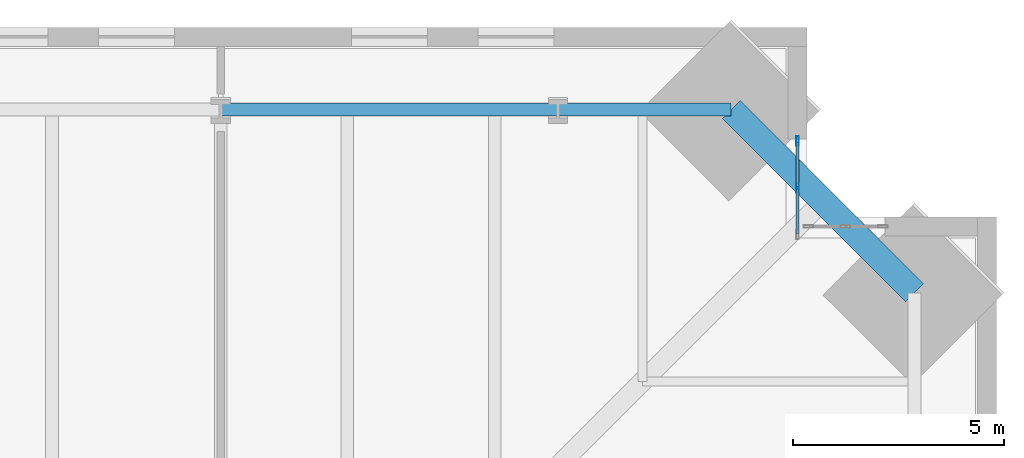
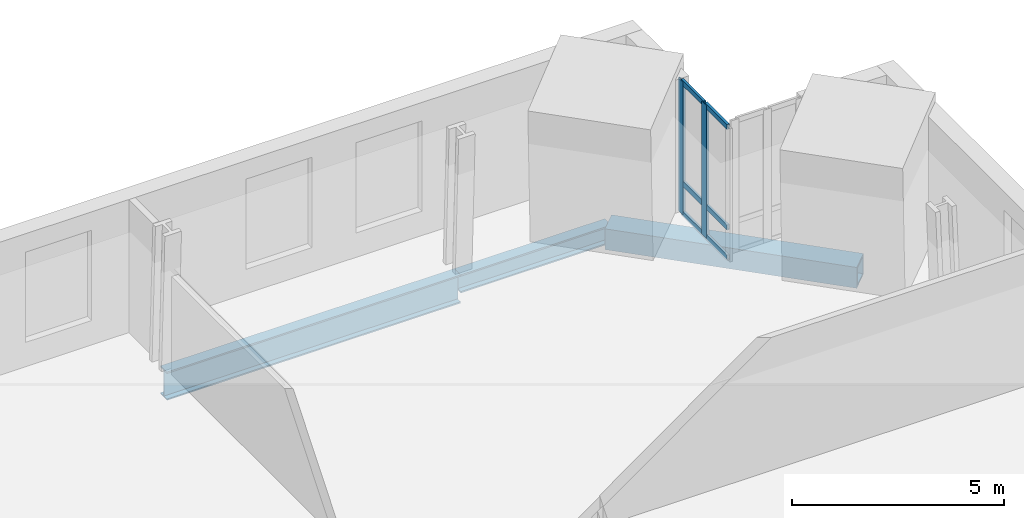
# One storey, part 11 of 18: 8 members, 3 beams, 1 element without a shape of its own.
"""IFC4 building model written with IfcOpenShell, lengths in metres."""

from ifc_helpers import new_model, si_unit, direction, frame, origin, origin_2d, place, context, subcontext, project, spatial, hollow_rectangle, i_section, extrude, material, material_profile, profile_set, type_object, element, aggregate, save


model = new_model("IFC4")

# Units and contexts
model_context = context("Model", 3, precision=1e-05, world=origin(), true_north=direction((0.0, 1.0)))
body_context = subcontext(model_context, "Body", "Model", "MODEL_VIEW")
ifc_project = project(units=[si_unit("LENGTHUNIT", "METRE"), si_unit("AREAUNIT", "SQUARE_METRE"), si_unit("VOLUMEUNIT", "CUBIC_METRE"), si_unit("PLANEANGLEUNIT", "RADIAN"), si_unit("MASSUNIT", "GRAM", prefix="KILO")], contexts=[model_context])

# Site, building, storey
site_placement = place(None, origin())
site = spatial("IfcSite", under=ifc_project, at=site_placement, CompositionType="ELEMENT")
building_placement = place(site_placement, origin())
building = spatial("IfcBuilding", under=site, at=building_placement, Name="Peilmerk Tower", CompositionType="ELEMENT")
storey_placement = place(building_placement, frame((0.0, 0.0, 159.800048828125)))
storey = spatial("IfcBuildingStorey", under=building, at=storey_placement, Name="L33", CompositionType="ELEMENT", Elevation=159.800048828125)

# Beams
ifc_material_1 = material(Name="Steel S355", Category="steel")
ifc_material_profile_1 = material_profile(ifc_material_1, i_section(OverallWidth=0.302978515625, OverallDepth=0.81396484375, WebThickness=0.02099609375, FlangeThickness=0.0400390625, at=origin_2d()), Name="HEM 800")
ifc_profile_set_1 = profile_set([ifc_material_profile_1], Name="Steel S355")
beam_type_1 = type_object("IfcBeamType", Name="B15 HEM 800 edge beam", PredefinedType="SPANDREL", material=ifc_profile_set_1)
beam_1_placement = place(storey_placement, frame((16.0, 24.453125, -0.5771484375), z_axis=(-1.0, 0.0, 0.0), x_axis=(0.0, -1.0, 0.0)))
element("IfcBeam", 1, at=beam_1_placement, inside=storey, type_object=beam_type_1, Name="Edge beam L33", PredefinedType="SPANDREL", context=body_context, shape_type="SweptSolid", body=[
    extrude(i_section(OverallWidth=0.302978515625, OverallDepth=0.81396484375, WebThickness=0.02099609375, FlangeThickness=0.0400390625, at=origin_2d()), origin(), (0.0, 0.0, 1.0), 8.0),
])
ifc_material_2 = material(Name="Steel S460", Category="steel")
ifc_material_profile_2 = material_profile(ifc_material_2, hollow_rectangle(XDim=0.60009765625, YDim=0.60009765625, WallThickness=0.06005859375, at=origin_2d()), Name="BOX 600x600x60")
ifc_profile_set_2 = profile_set([ifc_material_profile_2], Name="Steel S460")
beam_type_2 = type_object("IfcBeamType", Name="B20 BOX 600x600x60 notch beam", PredefinedType="SPANDREL", material=ifc_profile_set_2)
beam_2_placement = place(storey_placement, frame((20.103271484375, 24.453125, -0.469970703125), z_axis=(0.707106781187, -0.707106781187, 0.0), x_axis=(0.707106781187, 0.707106781187, 0.0)))
element("IfcBeam", 2, at=beam_2_placement, inside=storey, type_object=beam_type_2, Name="Notch beam L33", PredefinedType="SPANDREL", context=body_context, shape_type="SweptSolid", body=[
    extrude(hollow_rectangle(XDim=0.60009765625, YDim=0.60009765625, WallThickness=0.06005859375, at=origin_2d()), origin(), (0.0, 0.0, 1.0), 6.151611328125),
])
ifc_material_profile_3 = material_profile(ifc_material_1, i_section(OverallWidth=0.305908203125, OverallDepth=0.52392578125, WebThickness=0.02099609375, FlangeThickness=0.0400390625, at=origin_2d()), Name="HEM 500")
ifc_profile_set_3 = profile_set([ifc_material_profile_3], Name="Steel S355")
beam_type_3 = type_object("IfcBeamType", Name="B33 HEM 500 edge beam", PredefinedType="SPANDREL", material=ifc_profile_set_3)
beam_3_placement = place(storey_placement, frame((20.103271484375, 24.453125, -0.43212890625), z_axis=(-1.0, 0.0, 0.0), x_axis=(0.0, -1.0, 0.0)))
element("IfcBeam", 3, at=beam_3_placement, inside=storey, type_object=beam_type_3, Name="Edge beam L33", PredefinedType="SPANDREL", context=body_context, shape_type="SweptSolid", body=[
    extrude(i_section(OverallWidth=0.305908203125, OverallDepth=0.52392578125, WebThickness=0.02099609375, FlangeThickness=0.0400390625, at=origin_2d()), origin(), (0.0, 0.0, 1.0), 4.103271484375),
])

# Curtain wall, members
ifc_material_3 = material(Name="Aluminium stick curtain wall", Category="aluminium")
curtain_wall_type = type_object("IfcCurtainWallType", Name="CW3 stick curtain wall, 2250 module", PredefinedType="NOTDEFINED", material=ifc_material_3)
curtain_wall_placement = place(storey_placement, origin())
curtain_wall = element("IfcCurtainWall", 4, at=curtain_wall_placement, inside=storey, type_object=curtain_wall_type, Name="Curtain wall CW3 NEA L33", PredefinedType="NOTDEFINED")
ifc_material_4 = material(Name="Aluminium EN AW-6063 T6", Category="aluminium")
ifc_material_profile_4 = material_profile(ifc_material_4, hollow_rectangle(XDim=0.06494140625, YDim=0.22509765625, WallThickness=0.00390625, at=origin_2d()), Name="AL 225x65x4")
ifc_profile_set_4 = profile_set([ifc_material_profile_4], Name="Aluminium EN AW-6063 T6")
member_type_1 = type_object("IfcMemberType", Name="CW3-M AL 225x65x4 mullion", PredefinedType="MULLION", material=ifc_profile_set_4)
member_1_placement = place(storey_placement, frame((21.675048828125, 22.59423828125, 0.0), z_axis=(0.0, 0.0, 1.0), x_axis=(-1.0, 0.0, 0.0)))
member_1 = element("IfcMember", 5, at=member_1_placement, type_object=member_type_1, Name="CW3 mullion 2", PredefinedType="MULLION", context=body_context, shape_type="SweptSolid", body=[
    extrude(hollow_rectangle(XDim=0.06494140625, YDim=0.22509765625, WallThickness=0.00390625, at=origin_2d()), origin(), (0.0, 0.0, 1.0), 3.829833984375),
])
member_2_placement = place(storey_placement, frame((21.675048828125, 23.706298828125, 0.0), z_axis=(0.0, 0.0, 1.0), x_axis=(-1.0, 0.0, 0.0)))
member_2 = element("IfcMember", 6, at=member_2_placement, type_object=member_type_1, Name="CW3 mullion 3", PredefinedType="MULLION", context=body_context, shape_type="SweptSolid", body=[
    extrude(hollow_rectangle(XDim=0.06494140625, YDim=0.22509765625, WallThickness=0.00390625, at=origin_2d()), origin(), (0.0, 0.0, 1.0), 3.829833984375),
])
ifc_material_profile_5 = material_profile(ifc_material_4, hollow_rectangle(XDim=0.06494140625, YDim=0.14990234375, WallThickness=0.0029296875, at=origin_2d()), Name="AL 150x65x3")
ifc_profile_set_5 = profile_set([ifc_material_profile_5], Name="Aluminium EN AW-6063 T6")
member_type_2 = type_object("IfcMemberType", Name="CW3-T AL 150x65x3 transom", PredefinedType="USERDEFINED", material=ifc_profile_set_5)
member_3_placement = place(storey_placement, frame((21.675048828125, 21.514892578125, 0.032470703125), z_axis=(0.0, 1.0, 0.0), x_axis=(-1.0, 0.0, 0.0)))
member_3 = element("IfcMember", 7, at=member_3_placement, type_object=member_type_2, Name="CW3 transom 1.1", ObjectType="TRANSOM", PredefinedType="USERDEFINED", context=body_context, shape_type="SweptSolid", body=[
    extrude(hollow_rectangle(XDim=0.06494140625, YDim=0.14990234375, WallThickness=0.0029296875, at=origin_2d()), origin(), (0.0, 0.0, 1.0), 1.046875),
])
member_4_placement = place(storey_placement, frame((21.675048828125, 21.514892578125, 0.89990234375), z_axis=(0.0, 1.0, 0.0), x_axis=(-1.0, 0.0, 0.0)))
member_4 = element("IfcMember", 8, at=member_4_placement, type_object=member_type_2, Name="CW3 transom 1.2", ObjectType="TRANSOM", PredefinedType="USERDEFINED", context=body_context, shape_type="SweptSolid", body=[
    extrude(hollow_rectangle(XDim=0.06494140625, YDim=0.14990234375, WallThickness=0.0029296875, at=origin_2d()), origin(), (0.0, 0.0, 1.0), 1.046875),
])
member_5_placement = place(storey_placement, frame((21.675048828125, 21.514892578125, 3.79736328125), z_axis=(0.0, 1.0, 0.0), x_axis=(-1.0, 0.0, 0.0)))
member_5 = element("IfcMember", 9, at=member_5_placement, type_object=member_type_2, Name="CW3 transom 1.3", ObjectType="TRANSOM", PredefinedType="USERDEFINED", context=body_context, shape_type="SweptSolid", body=[
    extrude(hollow_rectangle(XDim=0.06494140625, YDim=0.14990234375, WallThickness=0.0029296875, at=origin_2d()), origin(), (0.0, 0.0, 1.0), 1.046875),
])
member_6_placement = place(storey_placement, frame((21.675048828125, 22.626953125, 0.032470703125), z_axis=(0.0, 1.0, 0.0), x_axis=(-1.0, 0.0, 0.0)))
member_6 = element("IfcMember", 10, at=member_6_placement, type_object=member_type_2, Name="CW3 transom 2.1", ObjectType="TRANSOM", PredefinedType="USERDEFINED", context=body_context, shape_type="SweptSolid", body=[
    extrude(hollow_rectangle(XDim=0.06494140625, YDim=0.14990234375, WallThickness=0.0029296875, at=origin_2d()), origin(), (0.0, 0.0, 1.0), 1.046630859375),
])
member_7_placement = place(storey_placement, frame((21.675048828125, 22.626953125, 0.89990234375), z_axis=(0.0, 1.0, 0.0), x_axis=(-1.0, 0.0, 0.0)))
member_7 = element("IfcMember", 11, at=member_7_placement, type_object=member_type_2, Name="CW3 transom 2.2", ObjectType="TRANSOM", PredefinedType="USERDEFINED", context=body_context, shape_type="SweptSolid", body=[
    extrude(hollow_rectangle(XDim=0.06494140625, YDim=0.14990234375, WallThickness=0.0029296875, at=origin_2d()), origin(), (0.0, 0.0, 1.0), 1.046630859375),
])
member_8_placement = place(storey_placement, frame((21.675048828125, 22.626953125, 3.79736328125), z_axis=(0.0, 1.0, 0.0), x_axis=(-1.0, 0.0, 0.0)))
member_8 = element("IfcMember", 12, at=member_8_placement, type_object=member_type_2, Name="CW3 transom 2.3", ObjectType="TRANSOM", PredefinedType="USERDEFINED", context=body_context, shape_type="SweptSolid", body=[
    extrude(hollow_rectangle(XDim=0.06494140625, YDim=0.14990234375, WallThickness=0.0029296875, at=origin_2d()), origin(), (0.0, 0.0, 1.0), 1.046630859375),
])
aggregate(curtain_wall, [member_1, member_2, member_3, member_4, member_5, member_6, member_7, member_8])

save(model, "model.ifc")
